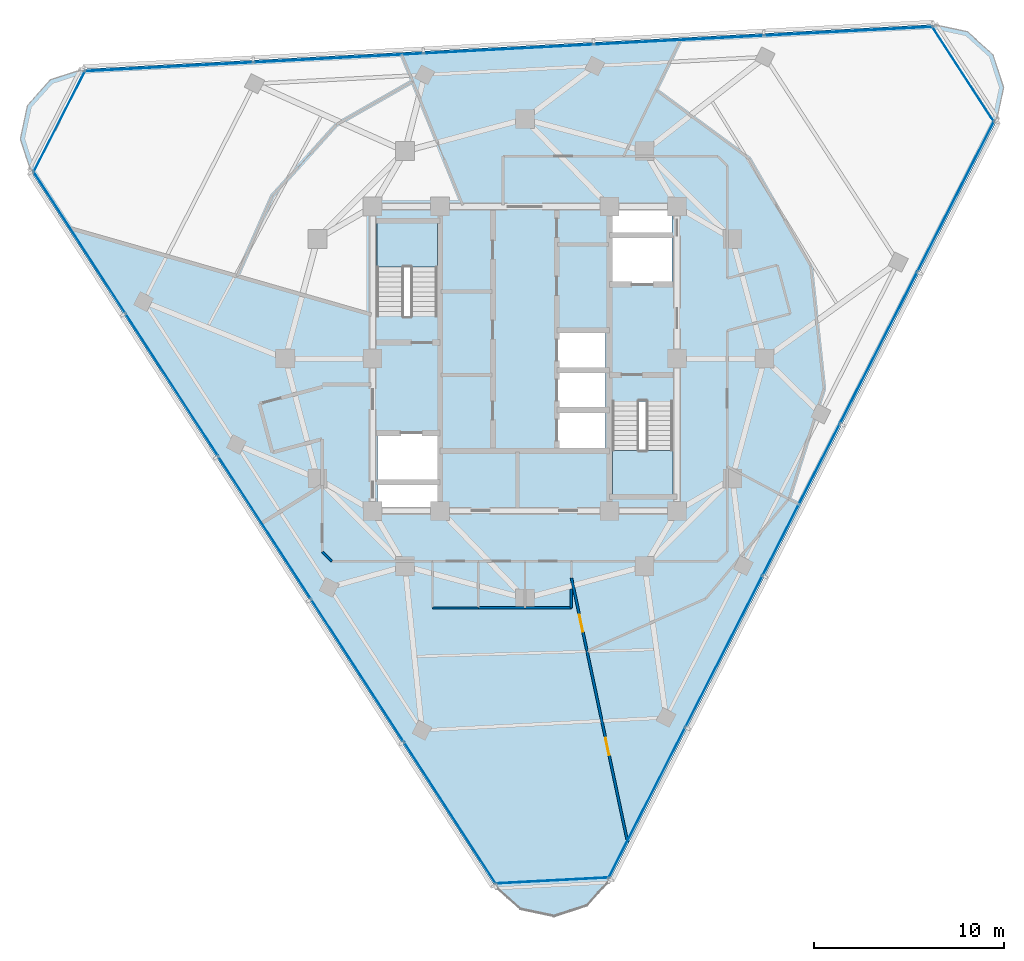
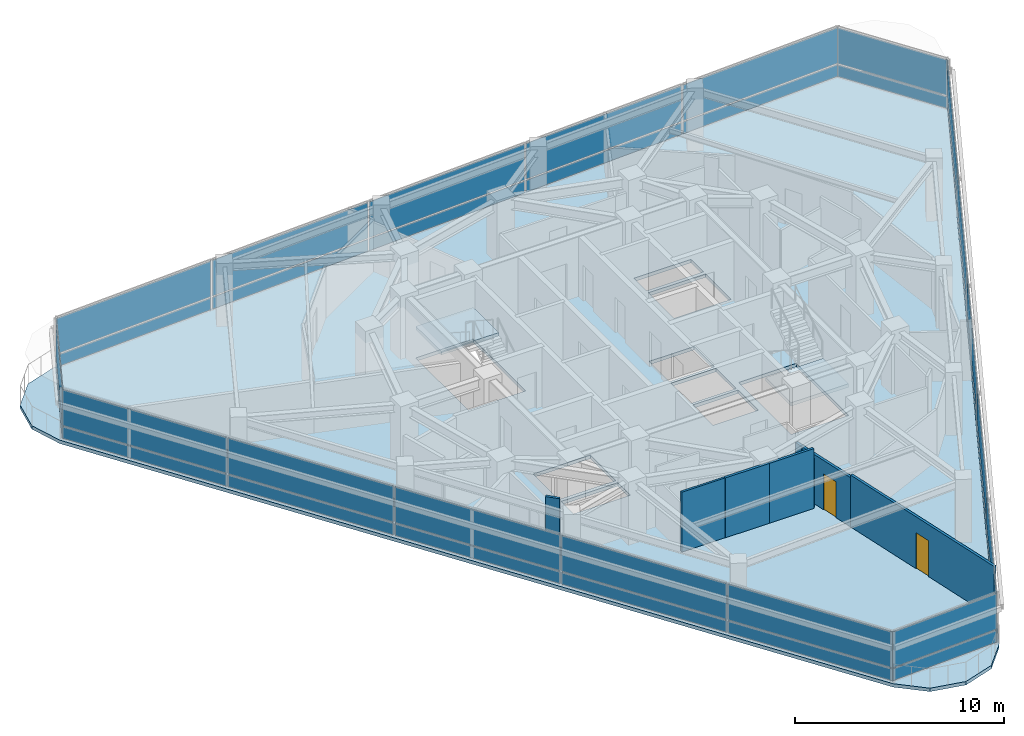
# One storey, part 7 of 15: 36 plates, 7 walls, 3 slabs, 2 doors, 2 openings, 8 elements without a shape of their own.
"""IFC4 building model written with IfcOpenShell, lengths in metres."""

from ifc_helpers import new_model, si_unit, direction, frame, frame_2d, origin, origin_2d, place, context, subcontext, project, spatial, polyline, rectangle, outline, extrude, material, layer, layer_set, type_object, element, fill, aggregate, save


model = new_model("IFC4")

# Units and contexts
model_context = context("Model", 3, precision=1e-05, world=origin(), true_north=direction((0.0, 1.0)))
body_context = subcontext(model_context, "Body", "Model", "MODEL_VIEW")
ifc_project = project(units=[si_unit("LENGTHUNIT", "METRE"), si_unit("AREAUNIT", "SQUARE_METRE"), si_unit("VOLUMEUNIT", "CUBIC_METRE"), si_unit("PLANEANGLEUNIT", "RADIAN"), si_unit("MASSUNIT", "GRAM", prefix="KILO")], contexts=[model_context])

# Site, building, storey
site_placement = place(None, origin())
site = spatial("IfcSite", under=ifc_project, at=site_placement, CompositionType="ELEMENT")
building_placement = place(site_placement, origin())
building = spatial("IfcBuilding", under=site, at=building_placement, Name="Terralouvre Media Tower", CompositionType="ELEMENT")
storey_placement = place(building_placement, frame((0.0, 0.0, 259.60009765625)))
storey = spatial("IfcBuildingStorey", under=building, at=storey_placement, Name="L67", CompositionType="ELEMENT", Elevation=259.60009765625)

# Slab
ifc_material_1 = material(Name="Concrete C40/50", Category="concrete")
ifc_layer_1 = layer(ifc_material_1, 0.199951171875, Name="Composite Tower Floor Slab S-TYP200")
ifc_layer_set_1 = layer_set([ifc_layer_1], Name="Concrete C40/50")
slab_type_1 = type_object("IfcSlabType", Name="Composite Tower Floor Slab S-TYP200", PredefinedType="FLOOR", material=ifc_layer_set_1)
slab_1_placement = place(storey_placement, frame((0.0, 0.0, -0.2001953125), z_axis=(0.0, 0.0, 1.0), x_axis=(0.45399049974, 0.891006524188, 0.0)))
element("IfcSlab", 1, at=slab_1_placement, inside=storey, type_object=slab_type_1, Name="L67 Structural Floor Slab", PredefinedType="FLOOR", context=body_context, shape_type="SweptSolid", body=[
    extrude(outline(polyline([(-25.43115234375, -11.1826171875), (-25.89990234375, -12.9326171875), (-25.43115234375, -14.6826171875), (-24.14990234375, -15.963623046875), (-22.39990234375, -16.4326171875), (22.39990234375, -16.4326171875), (24.14990234375, -15.963623046875), (25.43115234375, -14.6826171875), (25.89990234375, -12.9326171875), (25.43115234375, -11.1826171875), (3.031005859375, 27.615234375), (1.75, 28.896484375), (0.0, 29.365234375), (-1.75, 28.896484375), (-3.031005859375, 27.615234375), (-25.43115234375, -11.1826171875)]), holes=[polyline([(-7.968994140625, 1.102294921875), (-9.0380859375, 0.5576171875), (-10.46826171875, 3.3642578125), (-9.399169921875, 3.908935546875), (-7.968994140625, 1.102294921875)]), polyline([(-5.60791015625, 2.305419921875), (-7.790771484375, 1.193115234375), (-9.220947265625, 3.999755859375), (-7.037841796875, 5.112060546875), (-5.60791015625, 2.305419921875)]), polyline([(-4.38037109375, -7.39453125), (0.088134765625, -5.117919921875), (1.53173828125, -7.951171875), (-2.936767578125, -10.22802734375), (-4.38037109375, -7.39453125)]), polyline([(-0.547607421875, -5.048828125), (-2.276123046875, -5.9296875), (-3.4111328125, -3.7021484375), (-1.6826171875, -2.8212890625), (-0.547607421875, -5.048828125)]), polyline([(1.323486328125, -4.095458984375), (-0.405029296875, -4.976318359375), (-1.5400390625, -2.748779296875), (0.188720703125, -1.867919921875), (1.323486328125, -4.095458984375)]), polyline([(3.194580078125, -3.14208984375), (1.466064453125, -4.02294921875), (0.3310546875, -1.79541015625), (2.059814453125, -0.91455078125), (3.194580078125, -3.14208984375)]), polyline([(4.38037109375, 7.39453125), (-0.088134765625, 5.117919921875), (-1.53173828125, 7.951171875), (2.936767578125, 10.22802734375), (4.38037109375, 7.39453125)]), polyline([(7.037841796875, -5.112060546875), (5.60791015625, -2.305419921875), (7.790771484375, -1.193115234375), (9.220947265625, -3.999755859375), (7.037841796875, -5.112060546875)]), polyline([(9.399169921875, -3.908935546875), (7.968994140625, -1.102294921875), (9.0380859375, -0.5576171875), (10.46826171875, -3.3642578125), (9.399169921875, -3.908935546875)])]), origin(), (0.0, 0.0, 1.0), 0.2001953125),
])

# Stair, slab
ifc_material_2 = material(Name="Concrete C45/55", Category="concrete")
stair_type_1 = type_object("IfcStairType", Name="Dogleg Stair Assembly ST-01", PredefinedType="HALF_TURN_STAIR", material=ifc_material_2)
stair_1_placement = place(storey_placement, origin())
stair_1 = element("IfcStair", 2, at=stair_1_placement, inside=storey, type_object=stair_type_1, Name="L67 Core Pressurised Exit Stair ST-01", PredefinedType="HALF_TURN_STAIR")
ifc_material_3 = material(Name="Concrete C45/55", Category="concrete")
ifc_layer_2 = layer(ifc_material_3, 0.199951171875, Name="Reinforced Concrete Stair Half-Landing SL-LD1")
ifc_layer_set_2 = layer_set([ifc_layer_2], Name="Concrete C45/55")
slab_type_2 = type_object("IfcSlabType", Name="Reinforced Concrete Stair Half-Landing SL-LD1", PredefinedType="LANDING", material=ifc_layer_set_2)
slab_2_placement = place(storey_placement, frame((0.0, 0.0, 1.64990234375)))
slab_2 = element("IfcSlab", 3, at=slab_2_placement, type_object=slab_type_2, Name="ST-01 landing 1", PredefinedType="LANDING", context=body_context, shape_type="SweptSolid", body=[
    extrude(outline(polyline([(-4.60009765625, 4.820068359375), (-4.60009765625, 7.260009765625), (-7.780029296875, 7.260009765625), (-7.780029296875, 4.820068359375), (-4.60009765625, 4.820068359375)])), origin(), (0.0, 0.0, 1.0), 0.199951171875),
])
aggregate(stair_1, [slab_2])

ifc_material_4 = material(Name="Concrete C45/55", Category="concrete")
stair_type_2 = type_object("IfcStairType", Name="Dogleg Stair Assembly ST-02", PredefinedType="HALF_TURN_STAIR", material=ifc_material_4)
stair_2_placement = place(storey_placement, origin())
stair_2 = element("IfcStair", 4, at=stair_2_placement, inside=storey, type_object=stair_type_2, Name="L67 Core Pressurised Exit Stair ST-02", PredefinedType="HALF_TURN_STAIR")
slab_3_placement = place(storey_placement, frame((0.0, 0.0, 1.64990234375)))
slab_3 = element("IfcSlab", 5, at=slab_3_placement, type_object=slab_type_2, Name="ST-02 landing 1", PredefinedType="LANDING", context=body_context, shape_type="SweptSolid", body=[
    extrude(outline(polyline([(4.60009765625, -4.820068359375), (4.60009765625, -7.260009765625), (7.780029296875, -7.260009765625), (7.780029296875, -4.820068359375), (4.60009765625, -4.820068359375)])), origin(), (0.0, 0.0, 1.0), 0.199951171875),
])
aggregate(stair_2, [slab_3])

# Curtain wall, plates
ifc_material_5 = material(Name="Low-iron laminated double glazing with solar-control coating", Category="glass")
ifc_layer_3 = layer(ifc_material_5, 0.1650390625, Name="Rounded Wind-Corner Curved Glazing CW-04")
ifc_layer_set_3 = layer_set([ifc_layer_3], Name="Low-iron laminated double glazing with solar-control coating")
curtain_wall_type_1 = type_object("IfcCurtainWallType", Name="Rounded Wind-Corner Curved Glazing CW-04", PredefinedType="NOTDEFINED", material=ifc_layer_set_3)
curtain_wall_1_placement = place(storey_placement, origin())
curtain_wall_1 = element("IfcCurtainWall", 6, at=curtain_wall_1_placement, inside=storey, type_object=curtain_wall_type_1, Name="L67 Rounded Wind-Corner Curtain Wall C0", PredefinedType="NOTDEFINED")
ifc_material_6 = material(Name="Low-iron laminated double glazing with solar-control coating", Category="glass")
ifc_layer_4 = layer(ifc_material_6, 0.0400390625, Name="Rounded Corner Laminated Vision Panel CWP-03")
ifc_layer_set_4 = layer_set([ifc_layer_4], Name="Low-iron laminated double glazing with solar-control coating")
plate_type_1 = type_object("IfcPlateType", Name="Rounded Corner Laminated Vision Panel CWP-03", PredefinedType="CURTAIN_PANEL", material=ifc_layer_set_4)
plate_1_placement = place(storey_placement, frame((1.43798828125, -27.437744140625, 0.074951171875), z_axis=(0.0, 0.0, 1.0), x_axis=(0.998629533744, 0.05233597552, 0.0)))
plate_1 = element("IfcPlate", 7, at=plate_1_placement, type_object=plate_type_1, Name="CW-04 panel 1.1", PredefinedType="CURTAIN_PANEL", context=body_context, shape_type="SweptSolid", body=[
    extrude(rectangle(XDim=5.912109375, YDim=0.035888671875, at=origin_2d()), origin(), (0.0, 0.0, 1.0), 0.6875),
])
plate_2_placement = place(storey_placement, frame((1.43798828125, -27.437744140625, 0.83740234375), z_axis=(0.0, 0.0, 1.0), x_axis=(0.998629533744, 0.05233597552, 0.0)))
plate_2 = element("IfcPlate", 8, at=plate_2_placement, type_object=plate_type_1, Name="CW-04 panel 1.2", PredefinedType="CURTAIN_PANEL", context=body_context, shape_type="SweptSolid", body=[
    extrude(rectangle(XDim=5.912109375, YDim=0.035888671875, at=origin_2d()), origin(), (0.0, 0.0, 1.0), 2.08740234375),
])
aggregate(curtain_wall_1, [plate_1, plate_2])

curtain_wall_2_placement = place(storey_placement, origin())
curtain_wall_2 = element("IfcCurtainWall", 9, at=curtain_wall_2_placement, inside=storey, type_object=curtain_wall_type_1, Name="L67 Rounded Wind-Corner Curtain Wall C1", PredefinedType="NOTDEFINED")
plate_3_placement = place(storey_placement, frame((23.042724609375, 14.964111328125, 0.074951171875), z_axis=(0.0, 0.0, 1.0), x_axis=(-0.544639197097, 0.838670462688, 0.0)))
plate_3 = element("IfcPlate", 10, at=plate_3_placement, type_object=plate_type_1, Name="CW-04 panel 1.1", PredefinedType="CURTAIN_PANEL", context=body_context, shape_type="SweptSolid", body=[
    extrude(rectangle(XDim=5.912109375, YDim=0.035888671875, at=origin_2d()), origin(), (0.0, 0.0, 1.0), 0.6875),
])
plate_4_placement = place(storey_placement, frame((23.042724609375, 14.964111328125, 0.83740234375), z_axis=(0.0, 0.0, 1.0), x_axis=(-0.544639197097, 0.838670462688, 0.0)))
plate_4 = element("IfcPlate", 11, at=plate_4_placement, type_object=plate_type_1, Name="CW-04 panel 1.2", PredefinedType="CURTAIN_PANEL", context=body_context, shape_type="SweptSolid", body=[
    extrude(rectangle(XDim=5.912109375, YDim=0.035888671875, at=origin_2d()), origin(), (0.0, 0.0, 1.0), 2.08740234375),
])
aggregate(curtain_wall_2, [plate_3, plate_4])

curtain_wall_3_placement = place(storey_placement, origin())
curtain_wall_3 = element("IfcCurtainWall", 12, at=curtain_wall_3_placement, inside=storey, type_object=curtain_wall_type_1, Name="L67 Rounded Wind-Corner Curtain Wall C2", PredefinedType="NOTDEFINED")
plate_5_placement = place(storey_placement, frame((-24.480712890625, 12.4736328125, 0.074951171875), z_axis=(0.0, 0.0, 1.0), x_axis=(-0.453990349937, -0.891006600517, 0.0)))
plate_5 = element("IfcPlate", 13, at=plate_5_placement, type_object=plate_type_1, Name="CW-04 panel 1.1", PredefinedType="CURTAIN_PANEL", context=body_context, shape_type="SweptSolid", body=[
    extrude(rectangle(XDim=5.912109375, YDim=0.035888671875, at=origin_2d()), origin(), (0.0, 0.0, 1.0), 0.6875),
])
plate_6_placement = place(storey_placement, frame((-24.480712890625, 12.4736328125, 0.83740234375), z_axis=(0.0, 0.0, 1.0), x_axis=(-0.453990349937, -0.891006600517, 0.0)))
plate_6 = element("IfcPlate", 14, at=plate_6_placement, type_object=plate_type_1, Name="CW-04 panel 1.2", PredefinedType="CURTAIN_PANEL", context=body_context, shape_type="SweptSolid", body=[
    extrude(rectangle(XDim=5.912109375, YDim=0.035888671875, at=origin_2d()), origin(), (0.0, 0.0, 1.0), 2.08740234375),
])
aggregate(curtain_wall_3, [plate_5, plate_6])

ifc_material_7 = material(Name="Low-iron laminated double glazing with solar-control coating", Category="glass")
ifc_layer_5 = layer(ifc_material_7, 0.1650390625, Name="Upper Executive Tower Curtain Wall CW-05")
ifc_layer_set_5 = layer_set([ifc_layer_5], Name="Low-iron laminated double glazing with solar-control coating")
curtain_wall_type_2 = type_object("IfcCurtainWallType", Name="Upper Executive Tower Curtain Wall CW-05", PredefinedType="NOTDEFINED", material=ifc_layer_set_5)
curtain_wall_4_placement = place(storey_placement, origin())
curtain_wall_4 = element("IfcCurtainWall", 15, at=curtain_wall_4_placement, inside=storey, type_object=curtain_wall_type_2, Name="L67 Facade Curtain Wall F0", PredefinedType="NOTDEFINED")
ifc_material_8 = material(Name="Low-iron laminated double glazing with solar-control coating", Category="glass")
ifc_layer_6 = layer(ifc_material_8, 0.035888671875, Name="Vision Double-Glazed Unit CWP-01")
ifc_layer_set_6 = layer_set([ifc_layer_6], Name="Low-iron laminated double glazing with solar-control coating")
plate_type_2 = type_object("IfcPlateType", Name="Vision Double-Glazed Unit CWP-01", PredefinedType="CURTAIN_PANEL", material=ifc_layer_set_6)
plate_7_placement = place(storey_placement, frame((6.40771484375, -23.35595703125, 0.074951171875), z_axis=(0.0, 0.0, 1.0), x_axis=(0.45399044259, 0.891006553308, 0.0)))
plate_7 = element("IfcPlate", 16, at=plate_7_placement, type_object=plate_type_2, Name="CW-05 panel 1.1", PredefinedType="CURTAIN_PANEL", context=body_context, shape_type="SweptSolid", body=[
    extrude(rectangle(XDim=8.847412109375, YDim=0.035888671875, at=origin_2d()), origin(), (0.0, 0.0, 1.0), 0.6875),
])
plate_8_placement = place(storey_placement, frame((6.40771484375, -23.35595703125, 0.83740234375), z_axis=(0.0, 0.0, 1.0), x_axis=(0.45399044259, 0.891006553308, 0.0)))
plate_8 = element("IfcPlate", 17, at=plate_8_placement, type_object=plate_type_2, Name="CW-05 panel 1.2", PredefinedType="CURTAIN_PANEL", context=body_context, shape_type="SweptSolid", body=[
    extrude(rectangle(XDim=8.847412109375, YDim=0.035888671875, at=origin_2d()), origin(), (0.0, 0.0, 1.0), 2.08740234375),
])
plate_9_placement = place(storey_placement, frame((10.467041015625, -15.38916015625, 0.074951171875), z_axis=(0.0, 0.0, 1.0), x_axis=(0.45399044259, 0.891006553308, 0.0)))
plate_9 = element("IfcPlate", 18, at=plate_9_placement, type_object=plate_type_2, Name="CW-05 panel 2.1", PredefinedType="CURTAIN_PANEL", context=body_context, shape_type="SweptSolid", body=[
    extrude(rectangle(XDim=8.885009765625, YDim=0.035888671875, at=origin_2d()), origin(), (0.0, 0.0, 1.0), 0.6875),
])
plate_10_placement = place(storey_placement, frame((10.467041015625, -15.38916015625, 0.83740234375), z_axis=(0.0, 0.0, 1.0), x_axis=(0.45399044259, 0.891006553308, 0.0)))
plate_10 = element("IfcPlate", 19, at=plate_10_placement, type_object=plate_type_2, Name="CW-05 panel 2.2", PredefinedType="CURTAIN_PANEL", context=body_context, shape_type="SweptSolid", body=[
    extrude(rectangle(XDim=8.885009765625, YDim=0.035888671875, at=origin_2d()), origin(), (0.0, 0.0, 1.0), 2.08740234375),
])
plate_11_placement = place(storey_placement, frame((14.53466796875, -7.40576171875, 0.074951171875), z_axis=(0.0, 0.0, 1.0), x_axis=(0.45399044259, 0.891006553308, 0.0)))
plate_11 = element("IfcPlate", 20, at=plate_11_placement, type_object=plate_type_2, Name="CW-05 panel 3.1", PredefinedType="CURTAIN_PANEL", context=body_context, shape_type="SweptSolid", body=[
    extrude(rectangle(XDim=8.885009765625, YDim=0.035888671875, at=origin_2d()), origin(), (0.0, 0.0, 1.0), 0.6875),
])
plate_12_placement = place(storey_placement, frame((14.53466796875, -7.40576171875, 0.83740234375), z_axis=(0.0, 0.0, 1.0), x_axis=(0.45399044259, 0.891006553308, 0.0)))
plate_12 = element("IfcPlate", 21, at=plate_12_placement, type_object=plate_type_2, Name="CW-05 panel 3.2", PredefinedType="CURTAIN_PANEL", context=body_context, shape_type="SweptSolid", body=[
    extrude(rectangle(XDim=8.885009765625, YDim=0.035888671875, at=origin_2d()), origin(), (0.0, 0.0, 1.0), 2.08740234375),
])
plate_13_placement = place(storey_placement, frame((18.6025390625, 0.57763671875, 0.074951171875), z_axis=(0.0, 0.0, 1.0), x_axis=(0.45399044259, 0.891006553308, 0.0)))
plate_13 = element("IfcPlate", 22, at=plate_13_placement, type_object=plate_type_2, Name="CW-05 panel 4.1", PredefinedType="CURTAIN_PANEL", context=body_context, shape_type="SweptSolid", body=[
    extrude(rectangle(XDim=8.885009765625, YDim=0.035888671875, at=origin_2d()), origin(), (0.0, 0.0, 1.0), 0.6875),
])
plate_14_placement = place(storey_placement, frame((18.6025390625, 0.57763671875, 0.83740234375), z_axis=(0.0, 0.0, 1.0), x_axis=(0.45399044259, 0.891006553308, 0.0)))
plate_14 = element("IfcPlate", 23, at=plate_14_placement, type_object=plate_type_2, Name="CW-05 panel 4.2", PredefinedType="CURTAIN_PANEL", context=body_context, shape_type="SweptSolid", body=[
    extrude(rectangle(XDim=8.885009765625, YDim=0.035888671875, at=origin_2d()), origin(), (0.0, 0.0, 1.0), 2.08740234375),
])
plate_15_placement = place(storey_placement, frame((22.66162109375, 8.54443359375, 0.074951171875), z_axis=(0.0, 0.0, 1.0), x_axis=(0.45399044259, 0.891006553308, 0.0)))
plate_15 = element("IfcPlate", 24, at=plate_15_placement, type_object=plate_type_2, Name="CW-05 panel 5.1", PredefinedType="CURTAIN_PANEL", context=body_context, shape_type="SweptSolid", body=[
    extrude(rectangle(XDim=8.847412109375, YDim=0.035888671875, at=origin_2d()), origin(), (0.0, 0.0, 1.0), 0.6875),
])
plate_16_placement = place(storey_placement, frame((22.66162109375, 8.54443359375, 0.83740234375), z_axis=(0.0, 0.0, 1.0), x_axis=(0.45399044259, 0.891006553308, 0.0)))
plate_16 = element("IfcPlate", 25, at=plate_16_placement, type_object=plate_type_2, Name="CW-05 panel 5.2", PredefinedType="CURTAIN_PANEL", context=body_context, shape_type="SweptSolid", body=[
    extrude(rectangle(XDim=8.847412109375, YDim=0.035888671875, at=origin_2d()), origin(), (0.0, 0.0, 1.0), 2.08740234375),
])
aggregate(curtain_wall_4, [plate_7, plate_8, plate_9, plate_10, plate_11, plate_12, plate_13, plate_14, plate_15, plate_16])

curtain_wall_5_placement = place(storey_placement, origin())
curtain_wall_5 = element("IfcCurtainWall", 26, at=curtain_wall_5_placement, inside=storey, type_object=curtain_wall_type_2, Name="L67 Facade Curtain Wall F1", PredefinedType="NOTDEFINED")
plate_17_placement = place(storey_placement, frame((17.02294921875, 17.22705078125, 0.074951171875), z_axis=(0.0, 0.0, 1.0), x_axis=(-0.998629523875, -0.052336163844, 0.0)))
plate_17 = element("IfcPlate", 27, at=plate_17_placement, type_object=plate_type_2, Name="CW-05 panel 1.1", PredefinedType="CURTAIN_PANEL", context=body_context, shape_type="SweptSolid", body=[
    extrude(rectangle(XDim=8.847412109375, YDim=0.035888671875, at=origin_2d()), origin(), (0.0, 0.0, 1.0), 0.6875),
])
plate_18_placement = place(storey_placement, frame((17.02294921875, 17.22705078125, 0.83740234375), z_axis=(0.0, 0.0, 1.0), x_axis=(-0.998629523875, -0.052336163844, 0.0)))
plate_18 = element("IfcPlate", 28, at=plate_18_placement, type_object=plate_type_2, Name="CW-05 panel 1.2", PredefinedType="CURTAIN_PANEL", context=body_context, shape_type="SweptSolid", body=[
    extrude(rectangle(XDim=8.847412109375, YDim=0.035888671875, at=origin_2d()), origin(), (0.0, 0.0, 1.0), 2.08740234375),
])
plate_19_placement = place(storey_placement, frame((8.093994140625, 16.75927734375, 0.074951171875), z_axis=(0.0, 0.0, 1.0), x_axis=(-0.998629523875, -0.052336163844, 0.0)))
plate_19 = element("IfcPlate", 29, at=plate_19_placement, type_object=plate_type_2, Name="CW-05 panel 2.1", PredefinedType="CURTAIN_PANEL", context=body_context, shape_type="SweptSolid", body=[
    extrude(rectangle(XDim=8.885009765625, YDim=0.035888671875, at=origin_2d()), origin(), (0.0, 0.0, 1.0), 0.6875),
])
plate_20_placement = place(storey_placement, frame((8.093994140625, 16.75927734375, 0.83740234375), z_axis=(0.0, 0.0, 1.0), x_axis=(-0.998629523875, -0.052336163844, 0.0)))
plate_20 = element("IfcPlate", 30, at=plate_20_placement, type_object=plate_type_2, Name="CW-05 panel 2.2", PredefinedType="CURTAIN_PANEL", context=body_context, shape_type="SweptSolid", body=[
    extrude(rectangle(XDim=8.885009765625, YDim=0.035888671875, at=origin_2d()), origin(), (0.0, 0.0, 1.0), 2.08740234375),
])
plate_21_placement = place(storey_placement, frame((-0.853759765625, 16.290283203125, 0.074951171875), z_axis=(0.0, 0.0, 1.0), x_axis=(-0.998629523875, -0.052336163844, 0.0)))
plate_21 = element("IfcPlate", 31, at=plate_21_placement, type_object=plate_type_2, Name="CW-05 panel 3.1", PredefinedType="CURTAIN_PANEL", context=body_context, shape_type="SweptSolid", body=[
    extrude(rectangle(XDim=8.885009765625, YDim=0.035888671875, at=origin_2d()), origin(), (0.0, 0.0, 1.0), 0.6875),
])
plate_22_placement = place(storey_placement, frame((-0.853759765625, 16.290283203125, 0.83740234375), z_axis=(0.0, 0.0, 1.0), x_axis=(-0.998629523875, -0.052336163844, 0.0)))
plate_22 = element("IfcPlate", 32, at=plate_22_placement, type_object=plate_type_2, Name="CW-05 panel 3.2", PredefinedType="CURTAIN_PANEL", context=body_context, shape_type="SweptSolid", body=[
    extrude(rectangle(XDim=8.885009765625, YDim=0.035888671875, at=origin_2d()), origin(), (0.0, 0.0, 1.0), 2.08740234375),
])
plate_23_placement = place(storey_placement, frame((-9.801513671875, 15.8212890625, 0.074951171875), z_axis=(0.0, 0.0, 1.0), x_axis=(-0.998629523875, -0.052336163844, 0.0)))
plate_23 = element("IfcPlate", 33, at=plate_23_placement, type_object=plate_type_2, Name="CW-05 panel 4.1", PredefinedType="CURTAIN_PANEL", context=body_context, shape_type="SweptSolid", body=[
    extrude(rectangle(XDim=8.885009765625, YDim=0.035888671875, at=origin_2d()), origin(), (0.0, 0.0, 1.0), 0.6875),
])
plate_24_placement = place(storey_placement, frame((-9.801513671875, 15.8212890625, 0.83740234375), z_axis=(0.0, 0.0, 1.0), x_axis=(-0.998629523875, -0.052336163844, 0.0)))
plate_24 = element("IfcPlate", 34, at=plate_24_placement, type_object=plate_type_2, Name="CW-05 panel 4.2", PredefinedType="CURTAIN_PANEL", context=body_context, shape_type="SweptSolid", body=[
    extrude(rectangle(XDim=8.885009765625, YDim=0.035888671875, at=origin_2d()), origin(), (0.0, 0.0, 1.0), 2.08740234375),
])
plate_25_placement = place(storey_placement, frame((-18.73046875, 15.353515625, 0.074951171875), z_axis=(0.0, 0.0, 1.0), x_axis=(-0.998629523875, -0.052336163844, 0.0)))
plate_25 = element("IfcPlate", 35, at=plate_25_placement, type_object=plate_type_2, Name="CW-05 panel 5.1", PredefinedType="CURTAIN_PANEL", context=body_context, shape_type="SweptSolid", body=[
    extrude(rectangle(XDim=8.847412109375, YDim=0.035888671875, at=origin_2d()), origin(), (0.0, 0.0, 1.0), 0.6875),
])
plate_26_placement = place(storey_placement, frame((-18.73046875, 15.353515625, 0.83740234375), z_axis=(0.0, 0.0, 1.0), x_axis=(-0.998629523875, -0.052336163844, 0.0)))
plate_26 = element("IfcPlate", 36, at=plate_26_placement, type_object=plate_type_2, Name="CW-05 panel 5.2", PredefinedType="CURTAIN_PANEL", context=body_context, shape_type="SweptSolid", body=[
    extrude(rectangle(XDim=8.847412109375, YDim=0.035888671875, at=origin_2d()), origin(), (0.0, 0.0, 1.0), 2.08740234375),
])
aggregate(curtain_wall_5, [plate_17, plate_18, plate_19, plate_20, plate_21, plate_22, plate_23, plate_24, plate_25, plate_26])

curtain_wall_6_placement = place(storey_placement, origin())
curtain_wall_6 = element("IfcCurtainWall", 37, at=curtain_wall_6_placement, inside=storey, type_object=curtain_wall_type_2, Name="L67 Facade Curtain Wall F2", PredefinedType="NOTDEFINED")
plate_27_placement = place(storey_placement, frame((-23.4306640625, 6.128662109375, 0.074951171875), z_axis=(0.0, 0.0, 1.0), x_axis=(0.544639069077, -0.838670545826, 0.0)))
plate_27 = element("IfcPlate", 38, at=plate_27_placement, type_object=plate_type_2, Name="CW-05 panel 1.1", PredefinedType="CURTAIN_PANEL", context=body_context, shape_type="SweptSolid", body=[
    extrude(rectangle(XDim=8.847412109375, YDim=0.035888671875, at=origin_2d()), origin(), (0.0, 0.0, 1.0), 0.6875),
])
plate_28_placement = place(storey_placement, frame((-23.4306640625, 6.128662109375, 0.83740234375), z_axis=(0.0, 0.0, 1.0), x_axis=(0.544639069077, -0.838670545826, 0.0)))
plate_28 = element("IfcPlate", 39, at=plate_28_placement, type_object=plate_type_2, Name="CW-05 panel 1.2", PredefinedType="CURTAIN_PANEL", context=body_context, shape_type="SweptSolid", body=[
    extrude(rectangle(XDim=8.847412109375, YDim=0.035888671875, at=origin_2d()), origin(), (0.0, 0.0, 1.0), 2.08740234375),
])
plate_29_placement = place(storey_placement, frame((-18.560791015625, -1.3701171875, 0.074951171875), z_axis=(0.0, 0.0, 1.0), x_axis=(0.544639069077, -0.838670545826, 0.0)))
plate_29 = element("IfcPlate", 40, at=plate_29_placement, type_object=plate_type_2, Name="CW-05 panel 2.1", PredefinedType="CURTAIN_PANEL", context=body_context, shape_type="SweptSolid", body=[
    extrude(rectangle(XDim=8.885009765625, YDim=0.035888671875, at=origin_2d()), origin(), (0.0, 0.0, 1.0), 0.6875),
])
plate_30_placement = place(storey_placement, frame((-18.560791015625, -1.3701171875, 0.83740234375), z_axis=(0.0, 0.0, 1.0), x_axis=(0.544639069077, -0.838670545826, 0.0)))
plate_30 = element("IfcPlate", 41, at=plate_30_placement, type_object=plate_type_2, Name="CW-05 panel 2.2", PredefinedType="CURTAIN_PANEL", context=body_context, shape_type="SweptSolid", body=[
    extrude(rectangle(XDim=8.885009765625, YDim=0.035888671875, at=origin_2d()), origin(), (0.0, 0.0, 1.0), 2.08740234375),
])
plate_31_placement = place(storey_placement, frame((-13.680908203125, -8.884521484375, 0.074951171875), z_axis=(0.0, 0.0, 1.0), x_axis=(0.544639069077, -0.838670545826, 0.0)))
plate_31 = element("IfcPlate", 42, at=plate_31_placement, type_object=plate_type_2, Name="CW-05 panel 3.1", PredefinedType="CURTAIN_PANEL", context=body_context, shape_type="SweptSolid", body=[
    extrude(rectangle(XDim=8.885009765625, YDim=0.035888671875, at=origin_2d()), origin(), (0.0, 0.0, 1.0), 0.6875),
])
plate_32_placement = place(storey_placement, frame((-13.680908203125, -8.884521484375, 0.83740234375), z_axis=(0.0, 0.0, 1.0), x_axis=(0.544639069077, -0.838670545826, 0.0)))
plate_32 = element("IfcPlate", 43, at=plate_32_placement, type_object=plate_type_2, Name="CW-05 panel 3.2", PredefinedType="CURTAIN_PANEL", context=body_context, shape_type="SweptSolid", body=[
    extrude(rectangle(XDim=8.885009765625, YDim=0.035888671875, at=origin_2d()), origin(), (0.0, 0.0, 1.0), 2.08740234375),
])
plate_33_placement = place(storey_placement, frame((-8.801025390625, -16.39892578125, 0.074951171875), z_axis=(0.0, 0.0, 1.0), x_axis=(0.544639069077, -0.838670545826, 0.0)))
plate_33 = element("IfcPlate", 44, at=plate_33_placement, type_object=plate_type_2, Name="CW-05 panel 4.1", PredefinedType="CURTAIN_PANEL", context=body_context, shape_type="SweptSolid", body=[
    extrude(rectangle(XDim=8.885009765625, YDim=0.035888671875, at=origin_2d()), origin(), (0.0, 0.0, 1.0), 0.6875),
])
plate_34_placement = place(storey_placement, frame((-8.801025390625, -16.39892578125, 0.83740234375), z_axis=(0.0, 0.0, 1.0), x_axis=(0.544639069077, -0.838670545826, 0.0)))
plate_34 = element("IfcPlate", 45, at=plate_34_placement, type_object=plate_type_2, Name="CW-05 panel 4.2", PredefinedType="CURTAIN_PANEL", context=body_context, shape_type="SweptSolid", body=[
    extrude(rectangle(XDim=8.885009765625, YDim=0.035888671875, at=origin_2d()), origin(), (0.0, 0.0, 1.0), 2.08740234375),
])
plate_35_placement = place(storey_placement, frame((-3.93115234375, -23.897705078125, 0.074951171875), z_axis=(0.0, 0.0, 1.0), x_axis=(0.544639069077, -0.838670545826, 0.0)))
plate_35 = element("IfcPlate", 46, at=plate_35_placement, type_object=plate_type_2, Name="CW-05 panel 5.1", PredefinedType="CURTAIN_PANEL", context=body_context, shape_type="SweptSolid", body=[
    extrude(rectangle(XDim=8.847412109375, YDim=0.035888671875, at=origin_2d()), origin(), (0.0, 0.0, 1.0), 0.6875),
])
plate_36_placement = place(storey_placement, frame((-3.93115234375, -23.897705078125, 0.83740234375), z_axis=(0.0, 0.0, 1.0), x_axis=(0.544639069077, -0.838670545826, 0.0)))
plate_36 = element("IfcPlate", 47, at=plate_36_placement, type_object=plate_type_2, Name="CW-05 panel 5.2", PredefinedType="CURTAIN_PANEL", context=body_context, shape_type="SweptSolid", body=[
    extrude(rectangle(XDim=8.847412109375, YDim=0.035888671875, at=origin_2d()), origin(), (0.0, 0.0, 1.0), 2.08740234375),
])
aggregate(curtain_wall_6, [plate_27, plate_28, plate_29, plate_30, plate_31, plate_32, plate_33, plate_34, plate_35, plate_36])

# Walls
ifc_material_9 = material(Name="Fire-rated gypsum board drywall partition")
ifc_layer_7 = layer(ifc_material_9, 0.135009765625, Name="Newsroom Acoustic Partition PT-135")
ifc_layer_set_7 = layer_set([ifc_layer_7], Name="Fire-rated gypsum board drywall partition")
wall_type_1 = type_object("IfcWallType", Name="Newsroom Acoustic Partition PT-135", PredefinedType="PARTITIONING", material=ifc_layer_set_7)
wall_1_placement = place(storey_placement, frame((-10.64990234375, -10.14990234375, 0.0), z_axis=(0.0, 0.0, 1.0), x_axis=(0.707106781187, -0.707106781187, 0.0)))
element("IfcWall", 48, at=wall_1_placement, inside=storey, type_object=wall_type_1, Name="L67 Interior Partition 015", PredefinedType="PARTITIONING", context=body_context, shape_type="SweptSolid", body=[
    extrude(rectangle(XDim=0.70703125, YDim=0.135009765625, at=frame_2d((0.353515625, 0.0))), origin(), (0.0, 0.0, 1.0), 3.5),
])
wall_2_placement = place(storey_placement, frame((0.0, -13.10009765625, 0.0), z_axis=(0.0, 0.0, 1.0), x_axis=(-1.0, 0.0, 0.0)))
element("IfcWall", 49, at=wall_2_placement, inside=storey, type_object=wall_type_1, Name="L67 Interior Partition 036", PredefinedType="PARTITIONING", context=body_context, shape_type="SweptSolid", body=[
    extrude(rectangle(XDim=2.449951171875, YDim=0.135009765625, at=frame_2d((1.22509765625, 0.0))), origin(), (0.0, 0.0, 1.0), 3.5),
])
wall_3_placement = place(storey_placement, frame((2.449951171875, -12.103271484375, 0.0), z_axis=(0.0, 0.0, 1.0), x_axis=(0.0, -1.0, 0.0)))
element("IfcWall", 50, at=wall_3_placement, inside=storey, type_object=wall_type_1, Name="L67 Interior Partition 037", PredefinedType="PARTITIONING", context=body_context, shape_type="SweptSolid", body=[
    extrude(rectangle(XDim=0.996826171875, YDim=0.135009765625, at=frame_2d((0.49853515625, 0.0))), origin(), (0.0, 0.0, 1.0), 2.885009765625),
])
wall_4_placement = place(storey_placement, frame((2.449951171875, -13.10009765625, 0.0), z_axis=(0.0, 0.0, 1.0), x_axis=(-1.0, 0.0, 0.0)))
element("IfcWall", 51, at=wall_4_placement, inside=storey, type_object=wall_type_1, Name="L67 Interior Partition 038", PredefinedType="PARTITIONING", context=body_context, shape_type="SweptSolid", body=[
    extrude(rectangle(XDim=2.449951171875, YDim=0.135009765625, at=frame_2d((1.22509765625, 0.0))), origin(), (0.0, 0.0, 1.0), 3.5),
])

# Wall, opening, door
wall_5_placement = place(storey_placement, frame((5.402099609375, -25.417236328125, 0.0), z_axis=(0.0, 0.0, 1.0), x_axis=(-0.207847958891, 0.978161145203, 0.0)))
wall_5 = element("IfcWall", 52, at=wall_5_placement, inside=storey, type_object=wall_type_1, Name="L67 Interior Partition 039", PredefinedType="PARTITIONING", context=body_context, shape_type="SweptSolid", body=[
    extrude(rectangle(XDim=10.276611328125, YDim=0.135009765625, at=frame_2d((5.13818359375, 0.0))), origin(), (0.0, 0.0, 1.0), 3.034912109375),
])
opening_1_placement = place(wall_5_placement, frame((4.678466796875, 0.0, 0.0)))
opening_1 = element("IfcOpeningElement", 53, at=opening_1_placement, cuts=wall_5, Name="Opening ID-03-92X210", PredefinedType="OPENING", context=body_context, shape_type="SweptSolid", body=[
    extrude(rectangle(XDim=0.919921875, YDim=2.10009765625, at=frame_2d((0.4599609375, 1.050048828125))), frame((0.0, 0.077392578125, 0.0), z_axis=(0.0, -1.0, 0.0), x_axis=(1.0, 0.0, 0.0)), (0.0, 0.0, 1.0), 0.155029296875),
])
ifc_material_10 = material(Name="Engineered hardwood acoustic timber leaf", Category="wood")
door_type = type_object("IfcDoorType", Name="Accessible Restroom and Suite Door ID-03 (920x2100)", OperationType="NOTDEFINED", PredefinedType="DOOR", material=ifc_material_10)
door_1_placement = place(opening_1_placement, origin())
door_1 = element("IfcDoor", 54, at=door_1_placement, inside=storey, type_object=door_type, Name="L67 Press Kit Closet 4 Door", OperationType="SINGLE_SWING_LEFT", OverallHeight=2.10009765625, OverallWidth=0.919921875, PredefinedType="DOOR", context=body_context, shape_type="SweptSolid", body=[
    extrude(rectangle(XDim=0.919921875, YDim=2.10009765625, at=frame_2d((0.4599609375, 1.050048828125))), frame((0.0, 0.02490234375, 0.0), z_axis=(0.0, -1.0, 0.0), x_axis=(1.0, 0.0, 0.0)), (0.0, 0.0, 1.0), 0.050048828125),
])
fill(opening_1, door_1)

wall_6_placement = place(storey_placement, frame((3.26611328125, -15.364990234375, 0.0), z_axis=(0.0, 0.0, 1.0), x_axis=(-0.207944308429, 0.978140667078, 0.0)))
wall_6 = element("IfcWall", 55, at=wall_6_placement, inside=storey, type_object=wall_type_1, Name="L67 Interior Partition 040", PredefinedType="PARTITIONING", context=body_context, shape_type="SweptSolid", body=[
    extrude(rectangle(XDim=3.9248046875, YDim=0.135009765625, at=frame_2d((1.96240234375, 0.0))), origin(), (0.0, 0.0, 1.0), 2.885009765625),
])
opening_2_placement = place(wall_6_placement, frame((1.031494140625, 0.0, 0.0)))
opening_2 = element("IfcOpeningElement", 56, at=opening_2_placement, cuts=wall_6, Name="Opening ID-03-92X210", PredefinedType="OPENING", context=body_context, shape_type="SweptSolid", body=[
    extrude(rectangle(XDim=0.919921875, YDim=2.10009765625, at=frame_2d((0.4599609375, 1.050048828125))), frame((0.0, 0.077392578125, 0.0), z_axis=(0.0, -1.0, 0.0), x_axis=(1.0, 0.0, 0.0)), (0.0, 0.0, 1.0), 0.155029296875),
])
door_2_placement = place(opening_2_placement, origin())
door_2 = element("IfcDoor", 57, at=door_2_placement, inside=storey, type_object=door_type, Name="L67 Live Wire Newsroom Open Office 5 Door", OperationType="SINGLE_SWING_RIGHT", OverallHeight=2.10009765625, OverallWidth=0.919921875, PredefinedType="DOOR", context=body_context, shape_type="SweptSolid", body=[
    extrude(rectangle(XDim=0.919921875, YDim=2.10009765625, at=frame_2d((0.4599609375, 1.050048828125))), frame((0.0, 0.02490234375, 0.0), z_axis=(0.0, -1.0, 0.0), x_axis=(1.0, 0.0, 0.0)), (0.0, 0.0, 1.0), 0.050048828125),
])
fill(opening_2, door_2)

# Wall
ifc_material_11 = material(Name="Fire-rated gypsum board drywall partition")
ifc_layer_8 = layer(ifc_material_11, 0.114990234375, Name="Restroom and Pantry Partition PT-115")
ifc_layer_set_8 = layer_set([ifc_layer_8], Name="Fire-rated gypsum board drywall partition")
wall_type_2 = type_object("IfcWallType", Name="Restroom and Pantry Partition PT-115", PredefinedType="PARTITIONING", material=ifc_layer_set_8)
wall_7_placement = place(storey_placement, frame((-4.85009765625, -13.10009765625, 0.0), z_axis=(0.0, 0.0, 1.0), x_axis=(1.0, 0.0, 0.0)))
element("IfcWall", 58, at=wall_7_placement, inside=storey, type_object=wall_type_2, Name="L67 Interior Partition 034", PredefinedType="PARTITIONING", context=body_context, shape_type="SweptSolid", body=[
    extrude(rectangle(XDim=2.400146484375, YDim=0.114990234375, at=frame_2d((1.2001953125, 0.0))), origin(), (0.0, 0.0, 1.0), 3.5),
])

save(model, "model.ifc")
